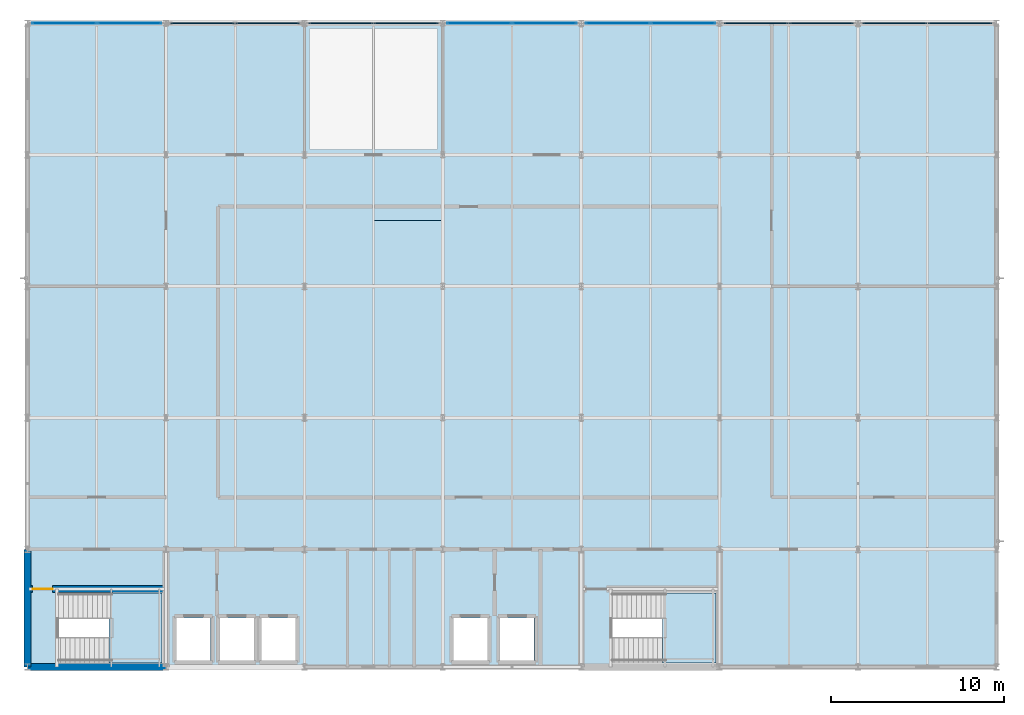
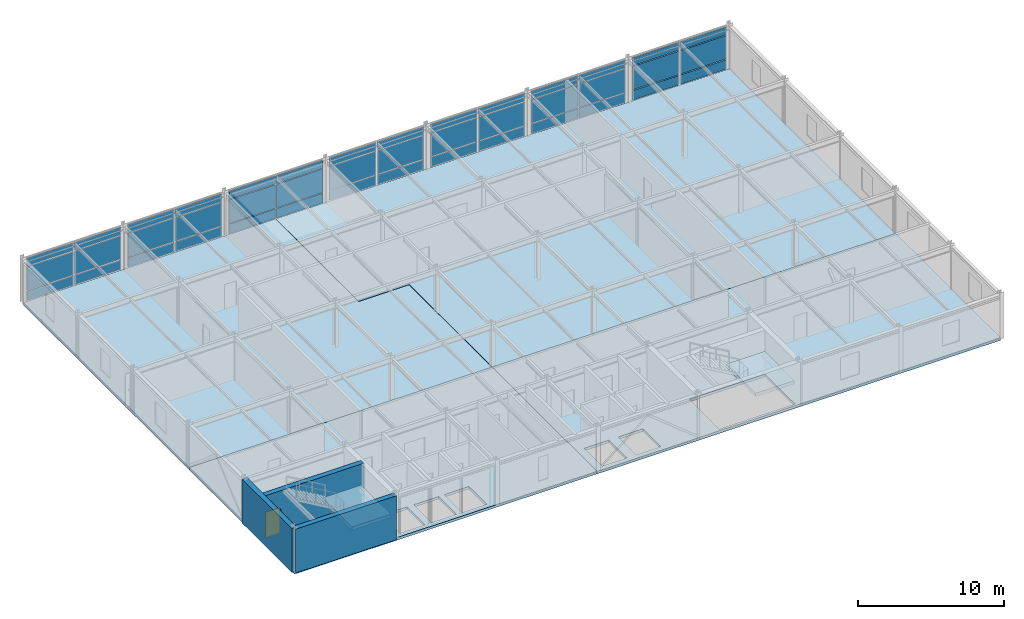
# One storey, part 10 of 15: 42 plates, 6 slabs, 3 walls, 1 door, 1 opening, 9 elements without a shape of their own.
"""IFC4 building model written with IfcOpenShell, lengths in metres."""

from ifc_helpers import new_model, si_unit, direction, frame, frame_2d, origin, origin_2d, place, context, subcontext, project, spatial, polyline, rectangle, outline, extrude, material, layer, layer_set, type_object, element, fill, aggregate, save


model = new_model("IFC4")

# Units and contexts
model_context = context("Model", 3, precision=1e-05, world=origin(), true_north=direction((0.0, 1.0)))
body_context = subcontext(model_context, "Body", "Model", "MODEL_VIEW")
ifc_project = project(units=[si_unit("LENGTHUNIT", "METRE"), si_unit("AREAUNIT", "SQUARE_METRE"), si_unit("VOLUMEUNIT", "CUBIC_METRE"), si_unit("PLANEANGLEUNIT", "RADIAN"), si_unit("MASSUNIT", "GRAM", prefix="KILO")], contexts=[model_context])

# Site, building, storey
site_placement = place(None, origin())
site = spatial("IfcSite", under=ifc_project, at=site_placement, CompositionType="ELEMENT")
building_placement = place(site_placement, origin())
building = spatial("IfcBuilding", under=site, at=building_placement, Name="Shalkamar Park Central Library", CompositionType="ELEMENT")
storey_placement = place(building_placement, frame((0.0, 0.0, 39.89990234375)))
storey = spatial("IfcBuildingStorey", under=building, at=storey_placement, Name="L10", CompositionType="ELEMENT", Elevation=39.89990234375)

# Curtain wall, plates
ifc_material_1 = material(Name="Thermally broken aluminium and triple low-e curtain wall", Category="aluminium")
ifc_layer_1 = layer(ifc_material_1, 0.260009765625)
ifc_layer_set_1 = layer_set([ifc_layer_1], Name="UnitisedCurtainWall_80")
curtain_wall_type_1 = type_object("IfcCurtainWallType", Name="Unitised Curtain Wall 80", PredefinedType="USERDEFINED", material=ifc_layer_set_1)
curtain_wall_1_placement = place(storey_placement, origin())
curtain_wall_1 = element("IfcCurtainWall", 1, at=curtain_wall_1_placement, inside=storey, type_object=curtain_wall_type_1, Name="Unitised Curtain Wall CW-L10-122", ObjectType="UNITISED CURTAIN WALL", PredefinedType="USERDEFINED")
ifc_material_2 = material(Name="Triple-glazed solar-control glass", Category="glass")
ifc_layer_2 = layer(ifc_material_2, 0.031982421875)
ifc_layer_set_2 = layer_set([ifc_layer_2], Name="SolarControlVisionPanel_32")
plate_type_1 = type_object("IfcPlateType", Name="Solar Control Vision Panel 32", PredefinedType="CURTAIN_PANEL", material=ifc_layer_set_2)
plate_1_placement = place(storey_placement, frame((191.108154296875, 285.60009765625, 0.06005859375), z_axis=(0.0, 0.0, 1.0), x_axis=(1.0, 0.0, 0.0)))
plate_1 = element("IfcPlate", 2, at=plate_1_placement, type_object=plate_type_1, Name="CW-80 panel 1.1", PredefinedType="CURTAIN_PANEL", context=body_context, shape_type="SweptSolid", body=[
    extrude(rectangle(XDim=3.699462890625, YDim=0.031982421875, at=origin_2d()), origin(), (0.0, 0.0, 1.0), 0.81005859375),
])
plate_2_placement = place(storey_placement, frame((191.108154296875, 285.60009765625, 0.93017578125), z_axis=(0.0, 0.0, 1.0), x_axis=(1.0, 0.0, 0.0)))
plate_2 = element("IfcPlate", 3, at=plate_2_placement, type_object=plate_type_1, Name="CW-80 panel 1.2", PredefinedType="CURTAIN_PANEL", context=body_context, shape_type="SweptSolid", body=[
    extrude(rectangle(XDim=3.699462890625, YDim=0.031982421875, at=origin_2d()), origin(), (0.0, 0.0, 1.0), 1.969970703125),
])
plate_3_placement = place(storey_placement, frame((191.108154296875, 285.60009765625, 2.9599609375), z_axis=(0.0, 0.0, 1.0), x_axis=(1.0, 0.0, 0.0)))
plate_3 = element("IfcPlate", 4, at=plate_3_placement, type_object=plate_type_1, Name="CW-80 panel 1.3", PredefinedType="CURTAIN_PANEL", context=body_context, shape_type="SweptSolid", body=[
    extrude(rectangle(XDim=3.699462890625, YDim=0.031982421875, at=origin_2d()), origin(), (0.0, 0.0, 1.0), 0.659912109375),
])
plate_4_placement = place(storey_placement, frame((194.8828125, 285.60009765625, 0.06005859375), z_axis=(0.0, 0.0, 1.0), x_axis=(1.0, 0.0, 0.0)))
plate_4 = element("IfcPlate", 5, at=plate_4_placement, type_object=plate_type_1, Name="CW-80 panel 2.1", PredefinedType="CURTAIN_PANEL", context=body_context, shape_type="SweptSolid", body=[
    extrude(rectangle(XDim=3.699462890625, YDim=0.031982421875, at=origin_2d()), origin(), (0.0, 0.0, 1.0), 0.81005859375),
])
plate_5_placement = place(storey_placement, frame((194.8828125, 285.60009765625, 0.93017578125), z_axis=(0.0, 0.0, 1.0), x_axis=(1.0, 0.0, 0.0)))
plate_5 = element("IfcPlate", 6, at=plate_5_placement, type_object=plate_type_1, Name="CW-80 panel 2.2", PredefinedType="CURTAIN_PANEL", context=body_context, shape_type="SweptSolid", body=[
    extrude(rectangle(XDim=3.699462890625, YDim=0.031982421875, at=origin_2d()), origin(), (0.0, 0.0, 1.0), 1.969970703125),
])
plate_6_placement = place(storey_placement, frame((194.8828125, 285.60009765625, 2.9599609375), z_axis=(0.0, 0.0, 1.0), x_axis=(1.0, 0.0, 0.0)))
plate_6 = element("IfcPlate", 7, at=plate_6_placement, type_object=plate_type_1, Name="CW-80 panel 2.3", PredefinedType="CURTAIN_PANEL", context=body_context, shape_type="SweptSolid", body=[
    extrude(rectangle(XDim=3.699462890625, YDim=0.031982421875, at=origin_2d()), origin(), (0.0, 0.0, 1.0), 0.659912109375),
])
aggregate(curtain_wall_1, [plate_1, plate_2, plate_3, plate_4, plate_5, plate_6])

ifc_layer_3 = layer(ifc_material_1, 0.25)
ifc_layer_set_3 = layer_set([ifc_layer_3], Name="UnitisedCurtainWall_79")
curtain_wall_type_2 = type_object("IfcCurtainWallType", Name="Unitised Curtain Wall 79", PredefinedType="USERDEFINED", material=ifc_layer_set_3)
curtain_wall_2_placement = place(storey_placement, origin())
curtain_wall_2 = element("IfcCurtainWall", 8, at=curtain_wall_2_placement, inside=storey, type_object=curtain_wall_type_2, Name="Unitised Curtain Wall CW-L10-121", ObjectType="UNITISED CURTAIN WALL", PredefinedType="USERDEFINED")
ifc_material_3 = material(Name="Insulated aluminium spandrel panel", Category="aluminium")
ifc_layer_4 = layer(ifc_material_3, 0.080078125)
ifc_layer_set_4 = layer_set([ifc_layer_4], Name="SpandrelShadowboxPanel_80")
plate_type_2 = type_object("IfcPlateType", Name="Spandrel Shadowbox Panel 80", PredefinedType="CURTAIN_PANEL", material=ifc_layer_set_4)
plate_7_placement = place(storey_placement, frame((183.1171875, 285.60009765625, 0.06005859375), z_axis=(0.0, 0.0, 1.0), x_axis=(1.0, 0.0, 0.0)))
plate_7 = element("IfcPlate", 9, at=plate_7_placement, type_object=plate_type_2, Name="CW-79 panel 1.1", PredefinedType="CURTAIN_PANEL", context=body_context, shape_type="SweptSolid", body=[
    extrude(rectangle(XDim=3.699462890625, YDim=0.080078125, at=origin_2d()), origin(), (0.0, 0.0, 1.0), 0.81005859375),
])
plate_8_placement = place(storey_placement, frame((183.1171875, 285.60009765625, 0.93017578125), z_axis=(0.0, 0.0, 1.0), x_axis=(1.0, 0.0, 0.0)))
plate_8 = element("IfcPlate", 10, at=plate_8_placement, type_object=plate_type_2, Name="CW-79 panel 1.2", PredefinedType="CURTAIN_PANEL", context=body_context, shape_type="SweptSolid", body=[
    extrude(rectangle(XDim=3.699462890625, YDim=0.080078125, at=origin_2d()), origin(), (0.0, 0.0, 1.0), 1.969970703125),
])
plate_9_placement = place(storey_placement, frame((183.1171875, 285.60009765625, 2.9599609375), z_axis=(0.0, 0.0, 1.0), x_axis=(1.0, 0.0, 0.0)))
plate_9 = element("IfcPlate", 11, at=plate_9_placement, type_object=plate_type_2, Name="CW-79 panel 1.3", PredefinedType="CURTAIN_PANEL", context=body_context, shape_type="SweptSolid", body=[
    extrude(rectangle(XDim=3.699462890625, YDim=0.080078125, at=origin_2d()), origin(), (0.0, 0.0, 1.0), 0.659912109375),
])
plate_10_placement = place(storey_placement, frame((186.891845703125, 285.60009765625, 0.06005859375), z_axis=(0.0, 0.0, 1.0), x_axis=(1.0, 0.0, 0.0)))
plate_10 = element("IfcPlate", 12, at=plate_10_placement, type_object=plate_type_2, Name="CW-79 panel 2.1", PredefinedType="CURTAIN_PANEL", context=body_context, shape_type="SweptSolid", body=[
    extrude(rectangle(XDim=3.699462890625, YDim=0.080078125, at=origin_2d()), origin(), (0.0, 0.0, 1.0), 0.81005859375),
])
plate_11_placement = place(storey_placement, frame((186.891845703125, 285.60009765625, 0.93017578125), z_axis=(0.0, 0.0, 1.0), x_axis=(1.0, 0.0, 0.0)))
plate_11 = element("IfcPlate", 13, at=plate_11_placement, type_object=plate_type_2, Name="CW-79 panel 2.2", PredefinedType="CURTAIN_PANEL", context=body_context, shape_type="SweptSolid", body=[
    extrude(rectangle(XDim=3.699462890625, YDim=0.080078125, at=origin_2d()), origin(), (0.0, 0.0, 1.0), 1.969970703125),
])
plate_12_placement = place(storey_placement, frame((186.891845703125, 285.60009765625, 2.9599609375), z_axis=(0.0, 0.0, 1.0), x_axis=(1.0, 0.0, 0.0)))
plate_12 = element("IfcPlate", 14, at=plate_12_placement, type_object=plate_type_2, Name="CW-79 panel 2.3", PredefinedType="CURTAIN_PANEL", context=body_context, shape_type="SweptSolid", body=[
    extrude(rectangle(XDim=3.699462890625, YDim=0.080078125, at=origin_2d()), origin(), (0.0, 0.0, 1.0), 0.659912109375),
])
aggregate(curtain_wall_2, [plate_7, plate_8, plate_9, plate_10, plate_11, plate_12])

ifc_layer_5 = layer(ifc_material_1, 0.264892578125)
ifc_layer_set_5 = layer_set([ifc_layer_5], Name="UnitisedCurtainWall_77")
curtain_wall_type_3 = type_object("IfcCurtainWallType", Name="Unitised Curtain Wall 77", PredefinedType="USERDEFINED", material=ifc_layer_set_5)
curtain_wall_3_placement = place(storey_placement, origin())
curtain_wall_3 = element("IfcCurtainWall", 15, at=curtain_wall_3_placement, inside=storey, type_object=curtain_wall_type_3, Name="Unitised Curtain Wall CW-L10-125", ObjectType="UNITISED CURTAIN WALL", PredefinedType="USERDEFINED")
plate_13_placement = place(storey_placement, frame((215.11962890625, 285.60009765625, 0.070068359375), z_axis=(0.0, 0.0, 1.0), x_axis=(1.0, 0.0, 0.0)))
plate_13 = element("IfcPlate", 16, at=plate_13_placement, type_object=plate_type_2, Name="CW-77 panel 1.1", PredefinedType="CURTAIN_PANEL", context=body_context, shape_type="SweptSolid", body=[
    extrude(rectangle(XDim=3.6845703125, YDim=0.080078125, at=origin_2d()), origin(), (0.0, 0.0, 1.0), 0.794921875),
])
plate_14_placement = place(storey_placement, frame((215.11962890625, 285.60009765625, 0.93505859375), z_axis=(0.0, 0.0, 1.0), x_axis=(1.0, 0.0, 0.0)))
plate_14 = element("IfcPlate", 17, at=plate_14_placement, type_object=plate_type_2, Name="CW-77 panel 1.2", PredefinedType="CURTAIN_PANEL", context=body_context, shape_type="SweptSolid", body=[
    extrude(rectangle(XDim=3.6845703125, YDim=0.080078125, at=origin_2d()), origin(), (0.0, 0.0, 1.0), 1.9599609375),
])
plate_15_placement = place(storey_placement, frame((215.11962890625, 285.60009765625, 2.965087890625), z_axis=(0.0, 0.0, 1.0), x_axis=(1.0, 0.0, 0.0)))
plate_15 = element("IfcPlate", 18, at=plate_15_placement, type_object=plate_type_2, Name="CW-77 panel 1.3", PredefinedType="CURTAIN_PANEL", context=body_context, shape_type="SweptSolid", body=[
    extrude(rectangle(XDim=3.6845703125, YDim=0.080078125, at=origin_2d()), origin(), (0.0, 0.0, 1.0), 0.64501953125),
])
plate_16_placement = place(storey_placement, frame((218.88916015625, 285.60009765625, 0.070068359375), z_axis=(0.0, 0.0, 1.0), x_axis=(1.0, 0.0, 0.0)))
plate_16 = element("IfcPlate", 19, at=plate_16_placement, type_object=plate_type_2, Name="CW-77 panel 2.1", PredefinedType="CURTAIN_PANEL", context=body_context, shape_type="SweptSolid", body=[
    extrude(rectangle(XDim=3.6845703125, YDim=0.080078125, at=origin_2d()), origin(), (0.0, 0.0, 1.0), 0.794921875),
])
plate_17_placement = place(storey_placement, frame((218.88916015625, 285.60009765625, 0.93505859375), z_axis=(0.0, 0.0, 1.0), x_axis=(1.0, 0.0, 0.0)))
plate_17 = element("IfcPlate", 20, at=plate_17_placement, type_object=plate_type_2, Name="CW-77 panel 2.2", PredefinedType="CURTAIN_PANEL", context=body_context, shape_type="SweptSolid", body=[
    extrude(rectangle(XDim=3.6845703125, YDim=0.080078125, at=origin_2d()), origin(), (0.0, 0.0, 1.0), 1.9599609375),
])
plate_18_placement = place(storey_placement, frame((218.88916015625, 285.60009765625, 2.965087890625), z_axis=(0.0, 0.0, 1.0), x_axis=(1.0, 0.0, 0.0)))
plate_18 = element("IfcPlate", 21, at=plate_18_placement, type_object=plate_type_2, Name="CW-77 panel 2.3", PredefinedType="CURTAIN_PANEL", context=body_context, shape_type="SweptSolid", body=[
    extrude(rectangle(XDim=3.6845703125, YDim=0.080078125, at=origin_2d()), origin(), (0.0, 0.0, 1.0), 0.64501953125),
])
aggregate(curtain_wall_3, [plate_13, plate_14, plate_15, plate_16, plate_17, plate_18])

# Stair, slab
ifc_material_4 = material(Name="Concrete C35/45", Category="concrete")
stair_type = type_object("IfcStairType", Name="Protected Dog Leg Stair 150x390", PredefinedType="TWO_STRAIGHT_RUN_STAIR", material=ifc_material_4)
stair_1_placement = place(storey_placement, origin())
stair_1 = element("IfcStair", 22, at=stair_1_placement, inside=storey, type_object=stair_type, Name="Protected Core Stair ST-T1-L10", PredefinedType="TWO_STRAIGHT_RUN_STAIR")
ifc_layer_6 = layer(ifc_material_4, 0.280029296875)
ifc_layer_set_6 = layer_set([ifc_layer_6], Name="Concrete C35/45")
slab_type_1 = type_object("IfcSlabType", Name="Stair Landing Slab 160", PredefinedType="LANDING", material=ifc_layer_set_6)
slab_1_placement = place(storey_placement, frame((0.0, 0.0, 1.670166015625)))
slab_1 = element("IfcSlab", 23, at=slab_1_placement, type_object=slab_type_1, Name="ST-T1-L10 landing 1", PredefinedType="LANDING", context=body_context, shape_type="SweptSolid", body=[
    extrude(outline(polyline([(169.699951171875, 248.6201171875), (172.780029296875, 248.6201171875), (172.780029296875, 252.679931640625), (169.699951171875, 252.679931640625), (169.699951171875, 248.6201171875)])), origin(), (0.0, 0.0, 1.0), 0.280029296875),
])
aggregate(stair_1, [slab_1])

stair_2_placement = place(storey_placement, origin())
stair_2 = element("IfcStair", 24, at=stair_2_placement, inside=storey, type_object=stair_type, Name="Protected Core Stair ST-T2-L10", PredefinedType="TWO_STRAIGHT_RUN_STAIR")
slab_2_placement = place(storey_placement, frame((0.0, 0.0, 1.670166015625)))
slab_2 = element("IfcSlab", 25, at=slab_2_placement, type_object=slab_type_1, Name="ST-T2-L10 landing 1", PredefinedType="LANDING", context=body_context, shape_type="SweptSolid", body=[
    extrude(outline(polyline([(201.699951171875, 248.6201171875), (204.780029296875, 248.6201171875), (204.780029296875, 252.679931640625), (201.699951171875, 252.679931640625), (201.699951171875, 248.6201171875)])), origin(), (0.0, 0.0, 1.0), 0.280029296875),
])
aggregate(stair_2, [slab_2])

# Slabs
ifc_layer_7 = layer(ifc_material_4, 0.219970703125)
ifc_layer_set_7 = layer_set([ifc_layer_7], Name="Concrete C35/45")
slab_type_2 = type_object("IfcSlabType", Name="Suspended Floor Slab 220", PredefinedType="FLOOR", material=ifc_layer_set_7)
slab_3_placement = place(storey_placement, frame((0.0, 0.0, -0.219970703125)))
element("IfcSlab", 26, at=slab_3_placement, inside=storey, type_object=slab_type_2, Name="Level L10 Composite Floor Slab NW", PredefinedType="FLOOR", context=body_context, shape_type="SweptSolid", body=[
    extrude(outline(polyline([(165.0, 262.800048828125), (188.989990234375, 262.800048828125), (188.989990234375, 274.18994140625), (184.989990234375, 274.18994140625), (184.989990234375, 285.60009765625), (165.0, 285.60009765625), (165.0, 262.800048828125)])), origin(), (0.0, 0.0, 1.0), 0.219970703125),
])
slab_4_placement = place(storey_placement, frame((0.0, 0.0, -0.219970703125)))
element("IfcSlab", 27, at=slab_4_placement, inside=storey, type_object=slab_type_2, Name="Level L10 Composite Floor Slab NE", PredefinedType="FLOOR", context=body_context, shape_type="SweptSolid", body=[
    extrude(outline(polyline([(189.010009765625, 262.800048828125), (221.0, 262.800048828125), (221.0, 285.60009765625), (185.010009765625, 285.60009765625), (185.010009765625, 274.2099609375), (189.010009765625, 274.2099609375), (189.010009765625, 262.800048828125)])), origin(), (0.0, 0.0, 1.0), 0.219970703125),
])
slab_5_placement = place(storey_placement, frame((0.0, 0.0, -0.219970703125)))
element("IfcSlab", 28, at=slab_5_placement, inside=storey, type_object=slab_type_2, Name="Level L10 Composite Floor Slab SW", PredefinedType="FLOOR", context=body_context, shape_type="SweptSolid", body=[
    extrude(outline(polyline([(165.0, 248.39990234375), (165.0, 262.800048828125), (189.0, 262.800048828125), (189.0, 248.39990234375), (165.0, 248.39990234375)]), holes=[polyline([(173.6201171875, 248.77001953125), (175.580078125, 248.77001953125), (175.580078125, 251.22998046875), (173.6201171875, 251.22998046875), (173.6201171875, 248.77001953125)]), polyline([(176.1201171875, 251.22998046875), (176.1201171875, 248.77001953125), (178.080078125, 248.77001953125), (178.080078125, 251.22998046875), (176.1201171875, 251.22998046875)]), polyline([(178.52001953125, 251.22998046875), (178.52001953125, 248.77001953125), (180.47998046875, 248.77001953125), (180.47998046875, 251.22998046875), (178.52001953125, 251.22998046875)]), polyline([(166.800048828125, 252.699951171875), (166.800048828125, 248.60009765625), (172.800048828125, 248.60009765625), (172.800048828125, 252.699951171875), (166.800048828125, 252.699951171875)])]), origin(), (0.0, 0.0, 1.0), 0.219970703125),
])
slab_6_placement = place(storey_placement, frame((0.0, 0.0, -0.219970703125)))
element("IfcSlab", 29, at=slab_6_placement, inside=storey, type_object=slab_type_2, Name="Level L10 Composite Floor Slab SE", PredefinedType="FLOOR", context=body_context, shape_type="SweptSolid", body=[
    extrude(outline(polyline([(189.0, 248.39990234375), (189.0, 262.800048828125), (221.0, 262.800048828125), (221.0, 248.39990234375), (189.0, 248.39990234375)]), holes=[polyline([(189.6201171875, 251.22998046875), (189.6201171875, 248.77001953125), (191.580078125, 248.77001953125), (191.580078125, 251.22998046875), (189.6201171875, 251.22998046875)]), polyline([(192.320068359375, 251.22998046875), (192.320068359375, 248.77001953125), (194.280029296875, 248.77001953125), (194.280029296875, 251.22998046875), (192.320068359375, 251.22998046875)]), polyline([(198.800048828125, 252.699951171875), (198.800048828125, 248.60009765625), (204.800048828125, 248.60009765625), (204.800048828125, 252.699951171875), (198.800048828125, 252.699951171875)])]), origin(), (0.0, 0.0, 1.0), 0.219970703125),
])

# Curtain wall, plates
ifc_layer_8 = layer(ifc_material_1, 0.280029296875)
ifc_layer_set_8 = layer_set([ifc_layer_8], Name="UnitisedCurtainWall_78")
curtain_wall_type_4 = type_object("IfcCurtainWallType", Name="Unitised Curtain Wall 78", PredefinedType="USERDEFINED", material=ifc_layer_set_8)
curtain_wall_4_placement = place(storey_placement, origin())
curtain_wall_4 = element("IfcCurtainWall", 30, at=curtain_wall_4_placement, inside=storey, type_object=curtain_wall_type_4, Name="Unitised Curtain Wall CW-L10-120", ObjectType="UNITISED CURTAIN WALL", PredefinedType="USERDEFINED")
ifc_material_5 = material(Name="Triple-glazed laminated glass", Category="glass")
ifc_layer_9 = layer(ifc_material_5, 0.06005859375)
ifc_layer_set_9 = layer_set([ifc_layer_9], Name="TripleGlazedPodiumPanel_60")
plate_type_3 = type_object("IfcPlateType", Name="Triple Glazed Podium Panel 60", PredefinedType="CURTAIN_PANEL", material=ifc_layer_set_9)
plate_19_placement = place(storey_placement, frame((175.112060546875, 285.60009765625, 0.070068359375), z_axis=(0.0, 0.0, 1.0), x_axis=(1.0, 0.0, 0.0)))
plate_19 = element("IfcPlate", 31, at=plate_19_placement, type_object=plate_type_3, Name="CW-78 panel 1.1", PredefinedType="CURTAIN_PANEL", context=body_context, shape_type="SweptSolid", body=[
    extrude(rectangle(XDim=3.677001953125, YDim=0.06005859375, at=origin_2d()), origin(), (0.0, 0.0, 1.0), 0.794921875),
])
plate_20_placement = place(storey_placement, frame((175.112060546875, 285.60009765625, 0.93505859375), z_axis=(0.0, 0.0, 1.0), x_axis=(1.0, 0.0, 0.0)))
plate_20 = element("IfcPlate", 32, at=plate_20_placement, type_object=plate_type_3, Name="CW-78 panel 1.2", PredefinedType="CURTAIN_PANEL", context=body_context, shape_type="SweptSolid", body=[
    extrude(rectangle(XDim=3.677001953125, YDim=0.06005859375, at=origin_2d()), origin(), (0.0, 0.0, 1.0), 1.9599609375),
])
plate_21_placement = place(storey_placement, frame((175.112060546875, 285.60009765625, 2.965087890625), z_axis=(0.0, 0.0, 1.0), x_axis=(1.0, 0.0, 0.0)))
plate_21 = element("IfcPlate", 33, at=plate_21_placement, type_object=plate_type_3, Name="CW-78 panel 1.3", PredefinedType="CURTAIN_PANEL", context=body_context, shape_type="SweptSolid", body=[
    extrude(rectangle(XDim=3.677001953125, YDim=0.06005859375, at=origin_2d()), origin(), (0.0, 0.0, 1.0), 0.64501953125),
])
plate_22_placement = place(storey_placement, frame((178.87890625, 285.60009765625, 0.070068359375), z_axis=(0.0, 0.0, 1.0), x_axis=(1.0, 0.0, 0.0)))
plate_22 = element("IfcPlate", 34, at=plate_22_placement, type_object=plate_type_3, Name="CW-78 panel 2.1", PredefinedType="CURTAIN_PANEL", context=body_context, shape_type="SweptSolid", body=[
    extrude(rectangle(XDim=3.677001953125, YDim=0.06005859375, at=origin_2d()), origin(), (0.0, 0.0, 1.0), 0.794921875),
])
plate_23_placement = place(storey_placement, frame((178.87890625, 285.60009765625, 0.93505859375), z_axis=(0.0, 0.0, 1.0), x_axis=(1.0, 0.0, 0.0)))
plate_23 = element("IfcPlate", 35, at=plate_23_placement, type_object=plate_type_3, Name="CW-78 panel 2.2", PredefinedType="CURTAIN_PANEL", context=body_context, shape_type="SweptSolid", body=[
    extrude(rectangle(XDim=3.677001953125, YDim=0.06005859375, at=origin_2d()), origin(), (0.0, 0.0, 1.0), 1.9599609375),
])
plate_24_placement = place(storey_placement, frame((178.87890625, 285.60009765625, 2.965087890625), z_axis=(0.0, 0.0, 1.0), x_axis=(1.0, 0.0, 0.0)))
plate_24 = element("IfcPlate", 36, at=plate_24_placement, type_object=plate_type_3, Name="CW-78 panel 2.3", PredefinedType="CURTAIN_PANEL", context=body_context, shape_type="SweptSolid", body=[
    extrude(rectangle(XDim=3.677001953125, YDim=0.06005859375, at=origin_2d()), origin(), (0.0, 0.0, 1.0), 0.64501953125),
])
aggregate(curtain_wall_4, [plate_19, plate_20, plate_21, plate_22, plate_23, plate_24])

ifc_layer_10 = layer(ifc_material_1, 0.27001953125)
ifc_layer_set_10 = layer_set([ifc_layer_10], Name="UnitisedCurtainWall_76")
curtain_wall_type_5 = type_object("IfcCurtainWallType", Name="Unitised Curtain Wall 76", PredefinedType="USERDEFINED", material=ifc_layer_set_10)
curtain_wall_5_placement = place(storey_placement, origin())
curtain_wall_5 = element("IfcCurtainWall", 37, at=curtain_wall_5_placement, inside=storey, type_object=curtain_wall_type_5, Name="Unitised Curtain Wall CW-L10-124", ObjectType="UNITISED CURTAIN WALL", PredefinedType="USERDEFINED")
plate_25_placement = place(storey_placement, frame((207.109619140625, 285.60009765625, 0.06494140625), z_axis=(0.0, 0.0, 1.0), x_axis=(1.0, 0.0, 0.0)))
plate_25 = element("IfcPlate", 38, at=plate_25_placement, type_object=plate_type_3, Name="CW-76 panel 1.1", PredefinedType="CURTAIN_PANEL", context=body_context, shape_type="SweptSolid", body=[
    extrude(rectangle(XDim=3.69189453125, YDim=0.06005859375, at=origin_2d()), origin(), (0.0, 0.0, 1.0), 0.802490234375),
])
plate_26_placement = place(storey_placement, frame((207.109619140625, 285.60009765625, 0.9326171875), z_axis=(0.0, 0.0, 1.0), x_axis=(1.0, 0.0, 0.0)))
plate_26 = element("IfcPlate", 39, at=plate_26_placement, type_object=plate_type_3, Name="CW-76 panel 1.2", PredefinedType="CURTAIN_PANEL", context=body_context, shape_type="SweptSolid", body=[
    extrude(rectangle(XDim=3.69189453125, YDim=0.06005859375, at=origin_2d()), origin(), (0.0, 0.0, 1.0), 1.965087890625),
])
plate_27_placement = place(storey_placement, frame((207.109619140625, 285.60009765625, 2.96240234375), z_axis=(0.0, 0.0, 1.0), x_axis=(1.0, 0.0, 0.0)))
plate_27 = element("IfcPlate", 40, at=plate_27_placement, type_object=plate_type_3, Name="CW-76 panel 1.3", PredefinedType="CURTAIN_PANEL", context=body_context, shape_type="SweptSolid", body=[
    extrude(rectangle(XDim=3.69189453125, YDim=0.06005859375, at=origin_2d()), origin(), (0.0, 0.0, 1.0), 0.652587890625),
])
plate_28_placement = place(storey_placement, frame((210.881591796875, 285.60009765625, 0.06494140625), z_axis=(0.0, 0.0, 1.0), x_axis=(1.0, 0.0, 0.0)))
plate_28 = element("IfcPlate", 41, at=plate_28_placement, type_object=plate_type_3, Name="CW-76 panel 2.1", PredefinedType="CURTAIN_PANEL", context=body_context, shape_type="SweptSolid", body=[
    extrude(rectangle(XDim=3.69189453125, YDim=0.06005859375, at=origin_2d()), origin(), (0.0, 0.0, 1.0), 0.802490234375),
])
plate_29_placement = place(storey_placement, frame((210.881591796875, 285.60009765625, 0.9326171875), z_axis=(0.0, 0.0, 1.0), x_axis=(1.0, 0.0, 0.0)))
plate_29 = element("IfcPlate", 42, at=plate_29_placement, type_object=plate_type_3, Name="CW-76 panel 2.2", PredefinedType="CURTAIN_PANEL", context=body_context, shape_type="SweptSolid", body=[
    extrude(rectangle(XDim=3.69189453125, YDim=0.06005859375, at=origin_2d()), origin(), (0.0, 0.0, 1.0), 1.965087890625),
])
plate_30_placement = place(storey_placement, frame((210.881591796875, 285.60009765625, 2.96240234375), z_axis=(0.0, 0.0, 1.0), x_axis=(1.0, 0.0, 0.0)))
plate_30 = element("IfcPlate", 43, at=plate_30_placement, type_object=plate_type_3, Name="CW-76 panel 2.3", PredefinedType="CURTAIN_PANEL", context=body_context, shape_type="SweptSolid", body=[
    extrude(rectangle(XDim=3.69189453125, YDim=0.06005859375, at=origin_2d()), origin(), (0.0, 0.0, 1.0), 0.652587890625),
])
aggregate(curtain_wall_5, [plate_25, plate_26, plate_27, plate_28, plate_29, plate_30])

curtain_wall_6_placement = place(storey_placement, origin())
curtain_wall_6 = element("IfcCurtainWall", 44, at=curtain_wall_6_placement, inside=storey, type_object=curtain_wall_type_3, Name="Unitised Curtain Wall CW-L10-119", ObjectType="UNITISED CURTAIN WALL", PredefinedType="USERDEFINED")
ifc_material_6 = material(Name="Triple-glazed low-e safety glass", Category="glass")
ifc_layer_11 = layer(ifc_material_6, 0.0439453125)
ifc_layer_set_11 = layer_set([ifc_layer_11], Name="TripleGlazedVisionPanel_44")
plate_type_4 = type_object("IfcPlateType", Name="Triple Glazed Vision Panel 44", PredefinedType="CURTAIN_PANEL", material=ifc_layer_set_11)
plate_31_placement = place(storey_placement, frame((167.11962890625, 285.60009765625, 0.070068359375), z_axis=(0.0, 0.0, 1.0), x_axis=(1.0, 0.0, 0.0)))
plate_31 = element("IfcPlate", 45, at=plate_31_placement, type_object=plate_type_4, Name="CW-77 panel 1.1", PredefinedType="CURTAIN_PANEL", context=body_context, shape_type="SweptSolid", body=[
    extrude(rectangle(XDim=3.6845703125, YDim=0.0439453125, at=origin_2d()), origin(), (0.0, 0.0, 1.0), 0.794921875),
])
plate_32_placement = place(storey_placement, frame((167.11962890625, 285.60009765625, 0.93505859375), z_axis=(0.0, 0.0, 1.0), x_axis=(1.0, 0.0, 0.0)))
plate_32 = element("IfcPlate", 46, at=plate_32_placement, type_object=plate_type_4, Name="CW-77 panel 1.2", PredefinedType="CURTAIN_PANEL", context=body_context, shape_type="SweptSolid", body=[
    extrude(rectangle(XDim=3.6845703125, YDim=0.0439453125, at=origin_2d()), origin(), (0.0, 0.0, 1.0), 1.9599609375),
])
plate_33_placement = place(storey_placement, frame((167.11962890625, 285.60009765625, 2.965087890625), z_axis=(0.0, 0.0, 1.0), x_axis=(1.0, 0.0, 0.0)))
plate_33 = element("IfcPlate", 47, at=plate_33_placement, type_object=plate_type_4, Name="CW-77 panel 1.3", PredefinedType="CURTAIN_PANEL", context=body_context, shape_type="SweptSolid", body=[
    extrude(rectangle(XDim=3.6845703125, YDim=0.0439453125, at=origin_2d()), origin(), (0.0, 0.0, 1.0), 0.64501953125),
])
plate_34_placement = place(storey_placement, frame((170.88916015625, 285.60009765625, 0.070068359375), z_axis=(0.0, 0.0, 1.0), x_axis=(1.0, 0.0, 0.0)))
plate_34 = element("IfcPlate", 48, at=plate_34_placement, type_object=plate_type_4, Name="CW-77 panel 2.1", PredefinedType="CURTAIN_PANEL", context=body_context, shape_type="SweptSolid", body=[
    extrude(rectangle(XDim=3.6845703125, YDim=0.0439453125, at=origin_2d()), origin(), (0.0, 0.0, 1.0), 0.794921875),
])
plate_35_placement = place(storey_placement, frame((170.88916015625, 285.60009765625, 0.93505859375), z_axis=(0.0, 0.0, 1.0), x_axis=(1.0, 0.0, 0.0)))
plate_35 = element("IfcPlate", 49, at=plate_35_placement, type_object=plate_type_4, Name="CW-77 panel 2.2", PredefinedType="CURTAIN_PANEL", context=body_context, shape_type="SweptSolid", body=[
    extrude(rectangle(XDim=3.6845703125, YDim=0.0439453125, at=origin_2d()), origin(), (0.0, 0.0, 1.0), 1.9599609375),
])
plate_36_placement = place(storey_placement, frame((170.88916015625, 285.60009765625, 2.965087890625), z_axis=(0.0, 0.0, 1.0), x_axis=(1.0, 0.0, 0.0)))
plate_36 = element("IfcPlate", 50, at=plate_36_placement, type_object=plate_type_4, Name="CW-77 panel 2.3", PredefinedType="CURTAIN_PANEL", context=body_context, shape_type="SweptSolid", body=[
    extrude(rectangle(XDim=3.6845703125, YDim=0.0439453125, at=origin_2d()), origin(), (0.0, 0.0, 1.0), 0.64501953125),
])
aggregate(curtain_wall_6, [plate_31, plate_32, plate_33, plate_34, plate_35, plate_36])

ifc_layer_12 = layer(ifc_material_1, 0.2548828125)
ifc_layer_set_12 = layer_set([ifc_layer_12], Name="UnitisedCurtainWall_75")
curtain_wall_type_6 = type_object("IfcCurtainWallType", Name="Unitised Curtain Wall 75", PredefinedType="USERDEFINED", material=ifc_layer_set_12)
curtain_wall_7_placement = place(storey_placement, origin())
curtain_wall_7 = element("IfcCurtainWall", 51, at=curtain_wall_7_placement, inside=storey, type_object=curtain_wall_type_6, Name="Unitised Curtain Wall CW-L10-123", ObjectType="UNITISED CURTAIN WALL", PredefinedType="USERDEFINED")
plate_37_placement = place(storey_placement, frame((199.118408203125, 285.60009765625, 0.06494140625), z_axis=(0.0, 0.0, 1.0), x_axis=(1.0, 0.0, 0.0)))
plate_37 = element("IfcPlate", 52, at=plate_37_placement, type_object=plate_type_4, Name="CW-75 panel 1.1", PredefinedType="CURTAIN_PANEL", context=body_context, shape_type="SweptSolid", body=[
    extrude(rectangle(XDim=3.69189453125, YDim=0.0439453125, at=origin_2d()), origin(), (0.0, 0.0, 1.0), 0.802490234375),
])
plate_38_placement = place(storey_placement, frame((199.118408203125, 285.60009765625, 0.9326171875), z_axis=(0.0, 0.0, 1.0), x_axis=(1.0, 0.0, 0.0)))
plate_38 = element("IfcPlate", 53, at=plate_38_placement, type_object=plate_type_4, Name="CW-75 panel 1.2", PredefinedType="CURTAIN_PANEL", context=body_context, shape_type="SweptSolid", body=[
    extrude(rectangle(XDim=3.69189453125, YDim=0.0439453125, at=origin_2d()), origin(), (0.0, 0.0, 1.0), 1.965087890625),
])
plate_39_placement = place(storey_placement, frame((199.118408203125, 285.60009765625, 2.96240234375), z_axis=(0.0, 0.0, 1.0), x_axis=(1.0, 0.0, 0.0)))
plate_39 = element("IfcPlate", 54, at=plate_39_placement, type_object=plate_type_4, Name="CW-75 panel 1.3", PredefinedType="CURTAIN_PANEL", context=body_context, shape_type="SweptSolid", body=[
    extrude(rectangle(XDim=3.69189453125, YDim=0.0439453125, at=origin_2d()), origin(), (0.0, 0.0, 1.0), 0.652587890625),
])
plate_40_placement = place(storey_placement, frame((202.890380859375, 285.60009765625, 0.06494140625), z_axis=(0.0, 0.0, 1.0), x_axis=(1.0, 0.0, 0.0)))
plate_40 = element("IfcPlate", 55, at=plate_40_placement, type_object=plate_type_4, Name="CW-75 panel 2.1", PredefinedType="CURTAIN_PANEL", context=body_context, shape_type="SweptSolid", body=[
    extrude(rectangle(XDim=3.69189453125, YDim=0.0439453125, at=origin_2d()), origin(), (0.0, 0.0, 1.0), 0.802490234375),
])
plate_41_placement = place(storey_placement, frame((202.890380859375, 285.60009765625, 0.9326171875), z_axis=(0.0, 0.0, 1.0), x_axis=(1.0, 0.0, 0.0)))
plate_41 = element("IfcPlate", 56, at=plate_41_placement, type_object=plate_type_4, Name="CW-75 panel 2.2", PredefinedType="CURTAIN_PANEL", context=body_context, shape_type="SweptSolid", body=[
    extrude(rectangle(XDim=3.69189453125, YDim=0.0439453125, at=origin_2d()), origin(), (0.0, 0.0, 1.0), 1.965087890625),
])
plate_42_placement = place(storey_placement, frame((202.890380859375, 285.60009765625, 2.96240234375), z_axis=(0.0, 0.0, 1.0), x_axis=(1.0, 0.0, 0.0)))
plate_42 = element("IfcPlate", 57, at=plate_42_placement, type_object=plate_type_4, Name="CW-75 panel 2.3", PredefinedType="CURTAIN_PANEL", context=body_context, shape_type="SweptSolid", body=[
    extrude(rectangle(XDim=3.69189453125, YDim=0.0439453125, at=origin_2d()), origin(), (0.0, 0.0, 1.0), 0.652587890625),
])
aggregate(curtain_wall_7, [plate_37, plate_38, plate_39, plate_40, plate_41, plate_42])

# Walls
ifc_material_7 = material(Name="Concrete C40/50", Category="concrete")
ifc_layer_13 = layer(ifc_material_7, 0.39990234375)
ifc_layer_set_13 = layer_set([ifc_layer_13], Name="Concrete C40/50")
wall_type = type_object("IfcWallType", Name="Tower Core Shear Wall 400", PredefinedType="SHEAR", material=ifc_layer_set_13)
wall_1_placement = place(storey_placement, frame((165.0, 248.39990234375, 0.0), z_axis=(0.0, 0.0, 1.0), x_axis=(1.0, 0.0, 0.0)))
element("IfcWall", 58, at=wall_1_placement, inside=storey, type_object=wall_type, Name="CORE-T1 South Shear Wall (L10)", PredefinedType="SHEAR", context=body_context, shape_type="SweptSolid", body=[
    extrude(rectangle(XDim=8.0, YDim=0.39990234375, at=frame_2d((4.0, 0.0))), origin(), (0.0, 0.0, 1.0), 3.68017578125),
])
wall_2_placement = place(storey_placement, frame((165.0, 248.39990234375, 0.0), z_axis=(0.0, 0.0, 1.0), x_axis=(0.0, 1.0, 0.0)))
element("IfcWall", 59, at=wall_2_placement, inside=storey, type_object=wall_type, Name="CORE-T1 West Shear Wall (L10)", PredefinedType="SHEAR", context=body_context, shape_type="SweptSolid", body=[
    extrude(rectangle(XDim=6.800048828125, YDim=0.39990234375, at=frame_2d((3.39990234375, 0.0))), origin(), (0.0, 0.0, 1.0), 3.68017578125),
])

# Wall, opening, door
wall_3_placement = place(storey_placement, frame((165.0, 252.89990234375, 0.0), z_axis=(0.0, 0.0, 1.0), x_axis=(1.0, 0.0, 0.0)))
wall_3 = element("IfcWall", 60, at=wall_3_placement, inside=storey, type_object=wall_type, Name="CORE-T1 Stairwell Wall (L10)", PredefinedType="SHEAR", context=body_context, shape_type="SweptSolid", body=[
    extrude(rectangle(XDim=8.0, YDim=0.39990234375, at=frame_2d((4.0, 0.0))), origin(), (0.0, 0.0, 1.0), 3.68017578125),
])
opening_placement = place(wall_3_placement, frame((0.300048828125, 0.0, 0.0)))
opening = element("IfcOpeningElement", 61, at=opening_placement, cuts=wall_3, Name="Opening DR-ST-T1-L10-IN", PredefinedType="OPENING", context=body_context, shape_type="SweptSolid", body=[
    extrude(rectangle(XDim=1.14990234375, YDim=2.14990234375, at=frame_2d((0.574951171875, 1.074951171875))), frame((0.0, 0.21484375, 0.0), z_axis=(0.0, -1.0, 0.0), x_axis=(1.0, 0.0, 0.0)), (0.0, 0.0, 1.0), 0.4296875),
])
ifc_material_8 = material(Name="Steel S355", Category="steel")
door_type = type_object("IfcDoorType", Name="Stair Core Exit Door 1150x2150", OperationType="NOTDEFINED", PredefinedType="DOOR", material=ifc_material_8)
door_placement = place(opening_placement, frame((1.14990234375, 0.0, 0.0), z_axis=(0.0, 0.0, 1.0), x_axis=(-1.0, 0.0, 0.0)))
door = element("IfcDoor", 62, at=door_placement, inside=storey, type_object=door_type, Name="Protected Stair ST-T1 Exit Door (L10)", OperationType="SINGLE_SWING_RIGHT", OverallHeight=2.14990234375, OverallWidth=1.14990234375, PredefinedType="DOOR", context=body_context, shape_type="SweptSolid", body=[
    extrude(rectangle(XDim=1.14990234375, YDim=2.14990234375, at=frame_2d((0.574951171875, 1.074951171875))), frame((0.0, 0.02490234375, 0.0), z_axis=(0.0, -1.0, 0.0), x_axis=(1.0, 0.0, 0.0)), (0.0, 0.0, 1.0), 0.050048828125),
])
fill(opening, door)

save(model, "model.ifc")
